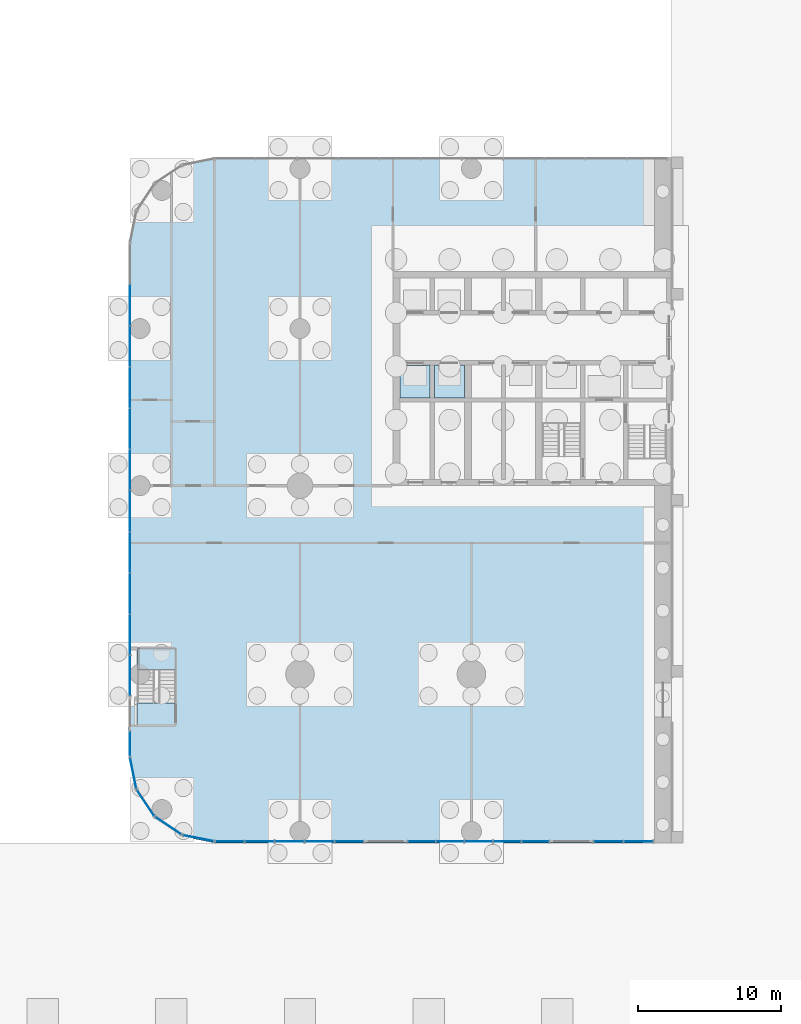
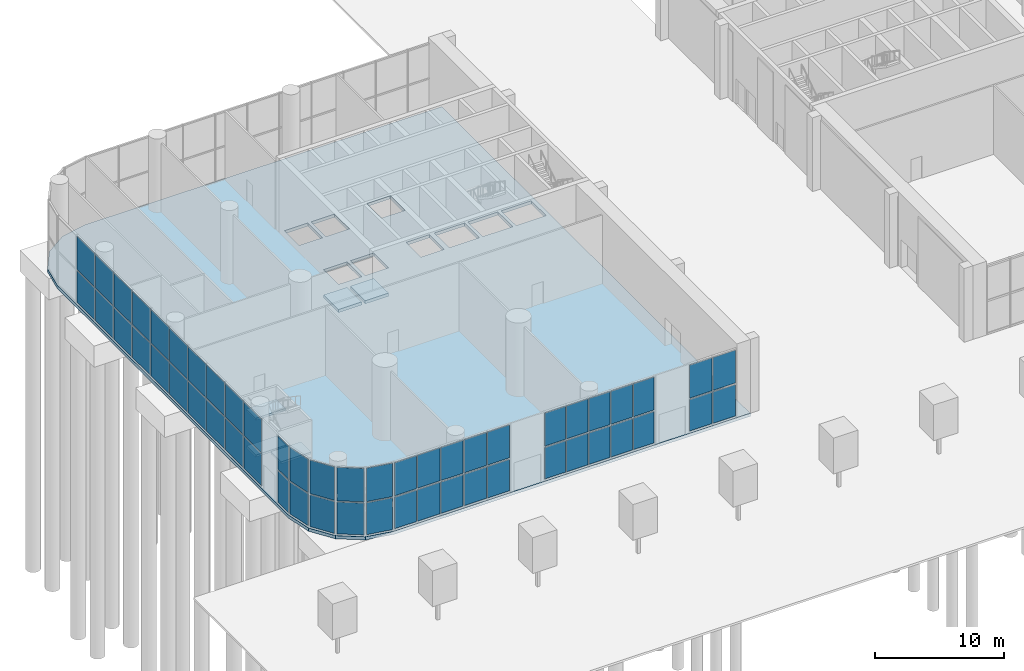
# One storey, part 13 of 26: 54 plates, 6 slabs, 10 elements without a shape of their own.
"""IFC4 building model written with IfcOpenShell, lengths in metres."""

from ifc_helpers import new_model, si_unit, direction, frame, origin, origin_2d, place, context, subcontext, project, spatial, polyline, rectangle, outline, extrude, material, layer, layer_set, type_object, element, aggregate, save


model = new_model("IFC4")

# Units and contexts
model_context = context("Model", 3, precision=1e-05, world=origin(), true_north=direction((0.0, 1.0)))
body_context = subcontext(model_context, "Body", "Model", "MODEL_VIEW")
ifc_project = project(units=[si_unit("LENGTHUNIT", "METRE"), si_unit("AREAUNIT", "SQUARE_METRE"), si_unit("VOLUMEUNIT", "CUBIC_METRE"), si_unit("PLANEANGLEUNIT", "RADIAN"), si_unit("MASSUNIT", "GRAM", prefix="KILO")], contexts=[model_context])

# Site, building, storey
site_placement = place(None, origin())
site = spatial("IfcSite", under=ifc_project, at=site_placement, CompositionType="ELEMENT")
building_placement = place(site_placement, origin())
building = spatial("IfcBuilding", under=site, at=building_placement, Name="Torana Hotel and Residences", CompositionType="ELEMENT")
storey_placement = place(building_placement, origin())
storey = spatial("IfcBuildingStorey", under=building, at=storey_placement, Name="L00", CompositionType="ELEMENT", Elevation=0.0)

# Curtain wall, plates
ifc_material_1 = material(Name="Dark anodised aluminium", Category="aluminium")
ifc_layer_1 = layer(ifc_material_1, 0.199951171875)
ifc_layer_set_1 = layer_set([ifc_layer_1], Name="CW1 PODIUM SHOPFRONT CURTAIN WALL")
curtain_wall_type_1 = type_object("IfcCurtainWallType", Name="CW1 PODIUM SHOPFRONT CURTAIN WALL", PredefinedType="NOTDEFINED", material=ifc_layer_set_1)
curtain_wall_1_placement = place(storey_placement, origin())
curtain_wall_1 = element("IfcCurtainWall", 1, at=curtain_wall_1_placement, inside=storey, type_object=curtain_wall_type_1, Name="Curtain wall CW1 L00 e0.7-1", PredefinedType="NOTDEFINED")
ifc_material_2 = material(Name="Glass clear low-iron double glazed unit", Category="glass")
ifc_layer_2 = layer(ifc_material_2, 0.035888671875)
ifc_layer_set_2 = layer_set([ifc_layer_2], Name="CW1 DARK GLASS PANEL 36")
plate_type_1 = type_object("IfcPlateType", Name="CW1 DARK GLASS PANEL 36", PredefinedType="CURTAIN_PANEL", material=ifc_layer_set_2)
plate_1_placement = place(storey_placement, frame((-47.89990234375, -2.350830078125, 0.119873046875), z_axis=(0.0, 0.0, 1.0), x_axis=(0.0, -1.0, 0.0)))
plate_1 = element("IfcPlate", 2, at=plate_1_placement, type_object=plate_type_1, Name="CW1 panel 2.1", PredefinedType="CURTAIN_PANEL", context=body_context, shape_type="SweptSolid", body=[
    extrude(rectangle(XDim=2.814208984375, YDim=0.035888671875, at=origin_2d()), origin(), (0.0, 0.0, 1.0), 3.02001953125),
])
plate_2_placement = place(storey_placement, frame((-47.89990234375, -2.350830078125, 3.260009765625), z_axis=(0.0, 0.0, 1.0), x_axis=(0.0, -1.0, 0.0)))
plate_2 = element("IfcPlate", 3, at=plate_2_placement, type_object=plate_type_1, Name="CW1 panel 2.2", PredefinedType="CURTAIN_PANEL", context=body_context, shape_type="SweptSolid", body=[
    extrude(rectangle(XDim=2.814208984375, YDim=0.035888671875, at=origin_2d()), origin(), (0.0, 0.0, 1.0), 3.169921875),
])
plate_3_placement = place(storey_placement, frame((-47.89990234375, -5.23486328125, 0.119873046875), z_axis=(0.0, 0.0, 1.0), x_axis=(0.0, -1.0, 0.0)))
plate_3 = element("IfcPlate", 4, at=plate_3_placement, type_object=plate_type_1, Name="CW1 panel 3.1", PredefinedType="CURTAIN_PANEL", context=body_context, shape_type="SweptSolid", body=[
    extrude(rectangle(XDim=2.814208984375, YDim=0.035888671875, at=origin_2d()), origin(), (0.0, 0.0, 1.0), 3.02001953125),
])
plate_4_placement = place(storey_placement, frame((-47.89990234375, -5.23486328125, 3.260009765625), z_axis=(0.0, 0.0, 1.0), x_axis=(0.0, -1.0, 0.0)))
plate_4 = element("IfcPlate", 5, at=plate_4_placement, type_object=plate_type_1, Name="CW1 panel 3.2", PredefinedType="CURTAIN_PANEL", context=body_context, shape_type="SweptSolid", body=[
    extrude(rectangle(XDim=2.814208984375, YDim=0.035888671875, at=origin_2d()), origin(), (0.0, 0.0, 1.0), 3.169921875),
])
plate_5_placement = place(storey_placement, frame((-47.89990234375, -8.119140625, 0.119873046875), z_axis=(0.0, 0.0, 1.0), x_axis=(0.0, -1.0, 0.0)))
plate_5 = element("IfcPlate", 6, at=plate_5_placement, type_object=plate_type_1, Name="CW1 panel 4.1", PredefinedType="CURTAIN_PANEL", context=body_context, shape_type="SweptSolid", body=[
    extrude(rectangle(XDim=2.814208984375, YDim=0.035888671875, at=origin_2d()), origin(), (0.0, 0.0, 1.0), 3.02001953125),
])
plate_6_placement = place(storey_placement, frame((-47.89990234375, -8.119140625, 3.260009765625), z_axis=(0.0, 0.0, 1.0), x_axis=(0.0, -1.0, 0.0)))
plate_6 = element("IfcPlate", 7, at=plate_6_placement, type_object=plate_type_1, Name="CW1 panel 4.2", PredefinedType="CURTAIN_PANEL", context=body_context, shape_type="SweptSolid", body=[
    extrude(rectangle(XDim=2.814208984375, YDim=0.035888671875, at=origin_2d()), origin(), (0.0, 0.0, 1.0), 3.169921875),
])
plate_7_placement = place(storey_placement, frame((-47.89990234375, -11.003173828125, 0.119873046875), z_axis=(0.0, 0.0, 1.0), x_axis=(0.0, -1.0, 0.0)))
plate_7 = element("IfcPlate", 8, at=plate_7_placement, type_object=plate_type_1, Name="CW1 panel 5.1", PredefinedType="CURTAIN_PANEL", context=body_context, shape_type="SweptSolid", body=[
    extrude(rectangle(XDim=2.814208984375, YDim=0.035888671875, at=origin_2d()), origin(), (0.0, 0.0, 1.0), 3.02001953125),
])
plate_8_placement = place(storey_placement, frame((-47.89990234375, -11.003173828125, 3.260009765625), z_axis=(0.0, 0.0, 1.0), x_axis=(0.0, -1.0, 0.0)))
plate_8 = element("IfcPlate", 9, at=plate_8_placement, type_object=plate_type_1, Name="CW1 panel 5.2", PredefinedType="CURTAIN_PANEL", context=body_context, shape_type="SweptSolid", body=[
    extrude(rectangle(XDim=2.814208984375, YDim=0.035888671875, at=origin_2d()), origin(), (0.0, 0.0, 1.0), 3.169921875),
])
plate_9_placement = place(storey_placement, frame((-47.89990234375, -13.88720703125, 0.119873046875), z_axis=(0.0, 0.0, 1.0), x_axis=(0.0, -1.0, 0.0)))
plate_9 = element("IfcPlate", 10, at=plate_9_placement, type_object=plate_type_1, Name="CW1 panel 6.1", PredefinedType="CURTAIN_PANEL", context=body_context, shape_type="SweptSolid", body=[
    extrude(rectangle(XDim=2.814208984375, YDim=0.035888671875, at=origin_2d()), origin(), (0.0, 0.0, 1.0), 3.02001953125),
])
plate_10_placement = place(storey_placement, frame((-47.89990234375, -13.88720703125, 3.260009765625), z_axis=(0.0, 0.0, 1.0), x_axis=(0.0, -1.0, 0.0)))
plate_10 = element("IfcPlate", 11, at=plate_10_placement, type_object=plate_type_1, Name="CW1 panel 6.2", PredefinedType="CURTAIN_PANEL", context=body_context, shape_type="SweptSolid", body=[
    extrude(rectangle(XDim=2.814208984375, YDim=0.035888671875, at=origin_2d()), origin(), (0.0, 0.0, 1.0), 3.169921875),
])
plate_11_placement = place(storey_placement, frame((-47.89990234375, -16.771484375, 0.119873046875), z_axis=(0.0, 0.0, 1.0), x_axis=(0.0, -1.0, 0.0)))
plate_11 = element("IfcPlate", 12, at=plate_11_placement, type_object=plate_type_1, Name="CW1 panel 7.1", PredefinedType="CURTAIN_PANEL", context=body_context, shape_type="SweptSolid", body=[
    extrude(rectangle(XDim=2.814208984375, YDim=0.035888671875, at=origin_2d()), origin(), (0.0, 0.0, 1.0), 3.02001953125),
])
plate_12_placement = place(storey_placement, frame((-47.89990234375, -16.771484375, 3.260009765625), z_axis=(0.0, 0.0, 1.0), x_axis=(0.0, -1.0, 0.0)))
plate_12 = element("IfcPlate", 13, at=plate_12_placement, type_object=plate_type_1, Name="CW1 panel 7.2", PredefinedType="CURTAIN_PANEL", context=body_context, shape_type="SweptSolid", body=[
    extrude(rectangle(XDim=2.814208984375, YDim=0.035888671875, at=origin_2d()), origin(), (0.0, 0.0, 1.0), 3.169921875),
])
plate_13_placement = place(storey_placement, frame((-47.89990234375, -19.655517578125, 0.119873046875), z_axis=(0.0, 0.0, 1.0), x_axis=(0.0, -1.0, 0.0)))
plate_13 = element("IfcPlate", 14, at=plate_13_placement, type_object=plate_type_1, Name="CW1 panel 8.1", PredefinedType="CURTAIN_PANEL", context=body_context, shape_type="SweptSolid", body=[
    extrude(rectangle(XDim=2.814208984375, YDim=0.035888671875, at=origin_2d()), origin(), (0.0, 0.0, 1.0), 3.02001953125),
])
plate_14_placement = place(storey_placement, frame((-47.89990234375, -19.655517578125, 3.260009765625), z_axis=(0.0, 0.0, 1.0), x_axis=(0.0, -1.0, 0.0)))
plate_14 = element("IfcPlate", 15, at=plate_14_placement, type_object=plate_type_1, Name="CW1 panel 8.2", PredefinedType="CURTAIN_PANEL", context=body_context, shape_type="SweptSolid", body=[
    extrude(rectangle(XDim=2.814208984375, YDim=0.035888671875, at=origin_2d()), origin(), (0.0, 0.0, 1.0), 3.169921875),
])
plate_15_placement = place(storey_placement, frame((-47.89990234375, -22.539794921875, 0.119873046875), z_axis=(0.0, 0.0, 1.0), x_axis=(0.0, -1.0, 0.0)))
plate_15 = element("IfcPlate", 16, at=plate_15_placement, type_object=plate_type_1, Name="CW1 panel 9.1", PredefinedType="CURTAIN_PANEL", context=body_context, shape_type="SweptSolid", body=[
    extrude(rectangle(XDim=2.814208984375, YDim=0.035888671875, at=origin_2d()), origin(), (0.0, 0.0, 1.0), 3.02001953125),
])
plate_16_placement = place(storey_placement, frame((-47.89990234375, -22.539794921875, 3.260009765625), z_axis=(0.0, 0.0, 1.0), x_axis=(0.0, -1.0, 0.0)))
plate_16 = element("IfcPlate", 17, at=plate_16_placement, type_object=plate_type_1, Name="CW1 panel 9.2", PredefinedType="CURTAIN_PANEL", context=body_context, shape_type="SweptSolid", body=[
    extrude(rectangle(XDim=2.814208984375, YDim=0.035888671875, at=origin_2d()), origin(), (0.0, 0.0, 1.0), 3.169921875),
])
plate_17_placement = place(storey_placement, frame((-47.89990234375, -25.423828125, 0.119873046875), z_axis=(0.0, 0.0, 1.0), x_axis=(0.0, -1.0, 0.0)))
plate_17 = element("IfcPlate", 18, at=plate_17_placement, type_object=plate_type_1, Name="CW1 panel 10.1", PredefinedType="CURTAIN_PANEL", context=body_context, shape_type="SweptSolid", body=[
    extrude(rectangle(XDim=2.814208984375, YDim=0.035888671875, at=origin_2d()), origin(), (0.0, 0.0, 1.0), 3.02001953125),
])
plate_18_placement = place(storey_placement, frame((-47.89990234375, -25.423828125, 3.260009765625), z_axis=(0.0, 0.0, 1.0), x_axis=(0.0, -1.0, 0.0)))
plate_18 = element("IfcPlate", 19, at=plate_18_placement, type_object=plate_type_1, Name="CW1 panel 10.2", PredefinedType="CURTAIN_PANEL", context=body_context, shape_type="SweptSolid", body=[
    extrude(rectangle(XDim=2.814208984375, YDim=0.035888671875, at=origin_2d()), origin(), (0.0, 0.0, 1.0), 3.169921875),
])
plate_19_placement = place(storey_placement, frame((-47.89990234375, -28.29052734375, 0.119873046875), z_axis=(0.0, 0.0, 1.0), x_axis=(0.0, -1.0, 0.0)))
plate_19 = element("IfcPlate", 20, at=plate_19_placement, type_object=plate_type_1, Name="CW1 panel 11.1", PredefinedType="CURTAIN_PANEL", context=body_context, shape_type="SweptSolid", body=[
    extrude(rectangle(XDim=2.779052734375, YDim=0.035888671875, at=origin_2d()), origin(), (0.0, 0.0, 1.0), 3.02001953125),
])
plate_20_placement = place(storey_placement, frame((-47.89990234375, -28.29052734375, 3.260009765625), z_axis=(0.0, 0.0, 1.0), x_axis=(0.0, -1.0, 0.0)))
plate_20 = element("IfcPlate", 21, at=plate_20_placement, type_object=plate_type_1, Name="CW1 panel 11.2", PredefinedType="CURTAIN_PANEL", context=body_context, shape_type="SweptSolid", body=[
    extrude(rectangle(XDim=2.779052734375, YDim=0.035888671875, at=origin_2d()), origin(), (0.0, 0.0, 1.0), 3.169921875),
])
aggregate(curtain_wall_1, [plate_1, plate_2, plate_3, plate_4, plate_5, plate_6, plate_7, plate_8, plate_9, plate_10, plate_11, plate_12, plate_13, plate_14, plate_15, plate_16, plate_17, plate_18, plate_19, plate_20])

curtain_wall_2_placement = place(storey_placement, origin())
curtain_wall_2 = element("IfcCurtainWall", 22, at=curtain_wall_2_placement, inside=storey, type_object=curtain_wall_type_1, Name="Curtain wall CW1 L00 e0.7-3", PredefinedType="NOTDEFINED")
plate_21_placement = place(storey_placement, frame((-47.89990234375, -33.062744140625, 0.119873046875), z_axis=(0.0, 0.0, 1.0), x_axis=(0.0, -1.0, 0.0)))
plate_21 = element("IfcPlate", 23, at=plate_21_placement, type_object=plate_type_1, Name="CW1 panel 1.1", PredefinedType="CURTAIN_PANEL", context=body_context, shape_type="SweptSolid", body=[
    extrude(rectangle(XDim=1.685302734375, YDim=0.035888671875, at=origin_2d()), origin(), (0.0, 0.0, 1.0), 3.02001953125),
])
plate_22_placement = place(storey_placement, frame((-47.89990234375, -33.062744140625, 3.260009765625), z_axis=(0.0, 0.0, 1.0), x_axis=(0.0, -1.0, 0.0)))
plate_22 = element("IfcPlate", 24, at=plate_22_placement, type_object=plate_type_1, Name="CW1 panel 1.2", PredefinedType="CURTAIN_PANEL", context=body_context, shape_type="SweptSolid", body=[
    extrude(rectangle(XDim=1.685302734375, YDim=0.035888671875, at=origin_2d()), origin(), (0.0, 0.0, 1.0), 3.169921875),
])
aggregate(curtain_wall_2, [plate_21, plate_22])

curtain_wall_3_placement = place(storey_placement, origin())
curtain_wall_3 = element("IfcCurtainWall", 25, at=curtain_wall_3_placement, inside=storey, type_object=curtain_wall_type_1, Name="Curtain wall CW1 L00 e0.8-1", PredefinedType="NOTDEFINED")
plate_23_placement = place(storey_placement, frame((-47.676025390625, -35.1162109375, 0.119873046875), z_axis=(0.0, 0.0, 1.0), x_axis=(0.195080996415, -0.980787135335, 0.0)))
plate_23 = element("IfcPlate", 26, at=plate_23_placement, type_object=plate_type_1, Name="CW1 panel 1.1", PredefinedType="CURTAIN_PANEL", context=body_context, shape_type="SweptSolid", body=[
    extrude(rectangle(XDim=2.126708984375, YDim=0.035888671875, at=origin_2d()), origin(), (0.0, 0.0, 1.0), 3.02001953125),
])
plate_24_placement = place(storey_placement, frame((-47.676025390625, -35.1162109375, 3.260009765625), z_axis=(0.0, 0.0, 1.0), x_axis=(0.195080996415, -0.980787135335, 0.0)))
plate_24 = element("IfcPlate", 27, at=plate_24_placement, type_object=plate_type_1, Name="CW1 panel 1.2", PredefinedType="CURTAIN_PANEL", context=body_context, shape_type="SweptSolid", body=[
    extrude(rectangle(XDim=2.126708984375, YDim=0.035888671875, at=origin_2d()), origin(), (0.0, 0.0, 1.0), 3.169921875),
])
aggregate(curtain_wall_3, [plate_23, plate_24])

curtain_wall_4_placement = place(storey_placement, origin())
curtain_wall_4 = element("IfcCurtainWall", 28, at=curtain_wall_4_placement, inside=storey, type_object=curtain_wall_type_1, Name="Curtain wall CW1 L00 e0.9-1", PredefinedType="NOTDEFINED")
plate_25_placement = place(storey_placement, frame((-46.809814453125, -37.2138671875, 0.119873046875), z_axis=(0.0, 0.0, 1.0), x_axis=(0.555585238723, -0.831459585616, 0.0)))
plate_25 = element("IfcPlate", 29, at=plate_25_placement, type_object=plate_type_1, Name="CW1 panel 1.1", PredefinedType="CURTAIN_PANEL", context=body_context, shape_type="SweptSolid", body=[
    extrude(rectangle(XDim=2.1015625, YDim=0.035888671875, at=origin_2d()), origin(), (0.0, 0.0, 1.0), 3.02001953125),
])
plate_26_placement = place(storey_placement, frame((-46.809814453125, -37.2138671875, 3.260009765625), z_axis=(0.0, 0.0, 1.0), x_axis=(0.555585238723, -0.831459585616, 0.0)))
plate_26 = element("IfcPlate", 30, at=plate_26_placement, type_object=plate_type_1, Name="CW1 panel 1.2", PredefinedType="CURTAIN_PANEL", context=body_context, shape_type="SweptSolid", body=[
    extrude(rectangle(XDim=2.1015625, YDim=0.035888671875, at=origin_2d()), origin(), (0.0, 0.0, 1.0), 3.169921875),
])
aggregate(curtain_wall_4, [plate_25, plate_26])

curtain_wall_5_placement = place(storey_placement, origin())
curtain_wall_5 = element("IfcCurtainWall", 31, at=curtain_wall_5_placement, inside=storey, type_object=curtain_wall_type_1, Name="Curtain wall CW1 L00 e0.10-1", PredefinedType="NOTDEFINED")
plate_27_placement = place(storey_placement, frame((-45.2138671875, -38.809814453125, 0.119873046875), z_axis=(0.0, 0.0, 1.0), x_axis=(0.831459585616, -0.555585238723, 0.0)))
plate_27 = element("IfcPlate", 32, at=plate_27_placement, type_object=plate_type_1, Name="CW1 panel 1.1", PredefinedType="CURTAIN_PANEL", context=body_context, shape_type="SweptSolid", body=[
    extrude(rectangle(XDim=2.1015625, YDim=0.035888671875, at=origin_2d()), origin(), (0.0, 0.0, 1.0), 3.02001953125),
])
plate_28_placement = place(storey_placement, frame((-45.2138671875, -38.809814453125, 3.260009765625), z_axis=(0.0, 0.0, 1.0), x_axis=(0.831459585616, -0.555585238723, 0.0)))
plate_28 = element("IfcPlate", 33, at=plate_28_placement, type_object=plate_type_1, Name="CW1 panel 1.2", PredefinedType="CURTAIN_PANEL", context=body_context, shape_type="SweptSolid", body=[
    extrude(rectangle(XDim=2.1015625, YDim=0.035888671875, at=origin_2d()), origin(), (0.0, 0.0, 1.0), 3.169921875),
])
aggregate(curtain_wall_5, [plate_27, plate_28])

curtain_wall_6_placement = place(storey_placement, origin())
curtain_wall_6 = element("IfcCurtainWall", 34, at=curtain_wall_6_placement, inside=storey, type_object=curtain_wall_type_1, Name="Curtain wall CW1 L00 e0.11-1", PredefinedType="NOTDEFINED")
plate_29_placement = place(storey_placement, frame((-43.1162109375, -39.676025390625, 0.119873046875), z_axis=(0.0, 0.0, 1.0), x_axis=(0.980787135335, -0.195080996415, 0.0)))
plate_29 = element("IfcPlate", 35, at=plate_29_placement, type_object=plate_type_1, Name="CW1 panel 1.1", PredefinedType="CURTAIN_PANEL", context=body_context, shape_type="SweptSolid", body=[
    extrude(rectangle(XDim=2.126708984375, YDim=0.035888671875, at=origin_2d()), origin(), (0.0, 0.0, 1.0), 3.02001953125),
])
plate_30_placement = place(storey_placement, frame((-43.1162109375, -39.676025390625, 3.260009765625), z_axis=(0.0, 0.0, 1.0), x_axis=(0.980787135335, -0.195080996415, 0.0)))
plate_30 = element("IfcPlate", 36, at=plate_30_placement, type_object=plate_type_1, Name="CW1 panel 1.2", PredefinedType="CURTAIN_PANEL", context=body_context, shape_type="SweptSolid", body=[
    extrude(rectangle(XDim=2.126708984375, YDim=0.035888671875, at=origin_2d()), origin(), (0.0, 0.0, 1.0), 3.169921875),
])
aggregate(curtain_wall_6, [plate_29, plate_30])

ifc_material_3 = material(Name="Dark anodised aluminium", Category="aluminium")
ifc_layer_3 = layer(ifc_material_3, 0.25)
ifc_layer_set_3 = layer_set([ifc_layer_3], Name="CW6 LOBBY ENTRANCE FRONT CURTAIN WALL")
curtain_wall_type_2 = type_object("IfcCurtainWallType", Name="CW6 LOBBY ENTRANCE FRONT CURTAIN WALL", PredefinedType="NOTDEFINED", material=ifc_layer_set_3)
curtain_wall_7_placement = place(storey_placement, origin())
curtain_wall_7 = element("IfcCurtainWall", 37, at=curtain_wall_7_placement, inside=storey, type_object=curtain_wall_type_2, Name="Curtain wall CW6 L00 e0.0-1", PredefinedType="NOTDEFINED")
ifc_material_4 = material(Name="Glass clear low-iron toughened double glazed unit", Category="glass")
ifc_layer_4 = layer(ifc_material_4, 0.0400390625)
ifc_layer_set_4 = layer_set([ifc_layer_4], Name="CW6 DARK GLASS PANEL 40")
plate_type_2 = type_object("IfcPlateType", Name="CW6 DARK GLASS PANEL 40", PredefinedType="CURTAIN_PANEL", material=ifc_layer_set_4)
plate_31_placement = place(storey_placement, frame((-40.9052734375, -39.89990234375, 0.14990234375), z_axis=(0.0, 0.0, 1.0), x_axis=(1.0, 0.0, 0.0)))
plate_31 = element("IfcPlate", 38, at=plate_31_placement, type_object=plate_type_2, Name="CW6 panel 1.1", PredefinedType="CURTAIN_PANEL", context=body_context, shape_type="SweptSolid", body=[
    extrude(rectangle(XDim=1.9599609375, YDim=0.0400390625, at=origin_2d()), origin(), (0.0, 0.0, 1.0), 2.97509765625),
])
plate_32_placement = place(storey_placement, frame((-40.9052734375, -39.89990234375, 3.27490234375), z_axis=(0.0, 0.0, 1.0), x_axis=(1.0, 0.0, 0.0)))
plate_32 = element("IfcPlate", 39, at=plate_32_placement, type_object=plate_type_2, Name="CW6 panel 1.2", PredefinedType="CURTAIN_PANEL", context=body_context, shape_type="SweptSolid", body=[
    extrude(rectangle(XDim=1.9599609375, YDim=0.0400390625, at=origin_2d()), origin(), (0.0, 0.0, 1.0), 3.125),
])
plate_33_placement = place(storey_placement, frame((-38.832763671875, -39.89990234375, 0.14990234375), z_axis=(0.0, 0.0, 1.0), x_axis=(1.0, 0.0, 0.0)))
plate_33 = element("IfcPlate", 40, at=plate_33_placement, type_object=plate_type_2, Name="CW6 panel 2.1", PredefinedType="CURTAIN_PANEL", context=body_context, shape_type="SweptSolid", body=[
    extrude(rectangle(XDim=2.005126953125, YDim=0.0400390625, at=origin_2d()), origin(), (0.0, 0.0, 1.0), 2.97509765625),
])
plate_34_placement = place(storey_placement, frame((-38.832763671875, -39.89990234375, 3.27490234375), z_axis=(0.0, 0.0, 1.0), x_axis=(1.0, 0.0, 0.0)))
plate_34 = element("IfcPlate", 41, at=plate_34_placement, type_object=plate_type_2, Name="CW6 panel 2.2", PredefinedType="CURTAIN_PANEL", context=body_context, shape_type="SweptSolid", body=[
    extrude(rectangle(XDim=2.005126953125, YDim=0.0400390625, at=origin_2d()), origin(), (0.0, 0.0, 1.0), 3.125),
])
plate_35_placement = place(storey_placement, frame((-36.73779296875, -39.89990234375, 0.14990234375), z_axis=(0.0, 0.0, 1.0), x_axis=(1.0, 0.0, 0.0)))
plate_35 = element("IfcPlate", 42, at=plate_35_placement, type_object=plate_type_2, Name="CW6 panel 3.1", PredefinedType="CURTAIN_PANEL", context=body_context, shape_type="SweptSolid", body=[
    extrude(rectangle(XDim=2.005126953125, YDim=0.0400390625, at=origin_2d()), origin(), (0.0, 0.0, 1.0), 2.97509765625),
])
plate_36_placement = place(storey_placement, frame((-36.73779296875, -39.89990234375, 3.27490234375), z_axis=(0.0, 0.0, 1.0), x_axis=(1.0, 0.0, 0.0)))
plate_36 = element("IfcPlate", 43, at=plate_36_placement, type_object=plate_type_2, Name="CW6 panel 3.2", PredefinedType="CURTAIN_PANEL", context=body_context, shape_type="SweptSolid", body=[
    extrude(rectangle(XDim=2.005126953125, YDim=0.0400390625, at=origin_2d()), origin(), (0.0, 0.0, 1.0), 3.125),
])
plate_37_placement = place(storey_placement, frame((-34.642578125, -39.89990234375, 0.14990234375), z_axis=(0.0, 0.0, 1.0), x_axis=(1.0, 0.0, 0.0)))
plate_37 = element("IfcPlate", 44, at=plate_37_placement, type_object=plate_type_2, Name="CW6 panel 4.1", PredefinedType="CURTAIN_PANEL", context=body_context, shape_type="SweptSolid", body=[
    extrude(rectangle(XDim=2.005126953125, YDim=0.0400390625, at=origin_2d()), origin(), (0.0, 0.0, 1.0), 2.97509765625),
])
plate_38_placement = place(storey_placement, frame((-34.642578125, -39.89990234375, 3.27490234375), z_axis=(0.0, 0.0, 1.0), x_axis=(1.0, 0.0, 0.0)))
plate_38 = element("IfcPlate", 45, at=plate_38_placement, type_object=plate_type_2, Name="CW6 panel 4.2", PredefinedType="CURTAIN_PANEL", context=body_context, shape_type="SweptSolid", body=[
    extrude(rectangle(XDim=2.005126953125, YDim=0.0400390625, at=origin_2d()), origin(), (0.0, 0.0, 1.0), 3.125),
])
plate_39_placement = place(storey_placement, frame((-32.570068359375, -39.89990234375, 0.14990234375), z_axis=(0.0, 0.0, 1.0), x_axis=(1.0, 0.0, 0.0)))
plate_39 = element("IfcPlate", 46, at=plate_39_placement, type_object=plate_type_2, Name="CW6 panel 5.1", PredefinedType="CURTAIN_PANEL", context=body_context, shape_type="SweptSolid", body=[
    extrude(rectangle(XDim=1.9599609375, YDim=0.0400390625, at=origin_2d()), origin(), (0.0, 0.0, 1.0), 2.97509765625),
])
plate_40_placement = place(storey_placement, frame((-32.570068359375, -39.89990234375, 3.27490234375), z_axis=(0.0, 0.0, 1.0), x_axis=(1.0, 0.0, 0.0)))
plate_40 = element("IfcPlate", 47, at=plate_40_placement, type_object=plate_type_2, Name="CW6 panel 5.2", PredefinedType="CURTAIN_PANEL", context=body_context, shape_type="SweptSolid", body=[
    extrude(rectangle(XDim=1.9599609375, YDim=0.0400390625, at=origin_2d()), origin(), (0.0, 0.0, 1.0), 3.125),
])
aggregate(curtain_wall_7, [plate_31, plate_32, plate_33, plate_34, plate_35, plate_36, plate_37, plate_38, plate_39, plate_40])

curtain_wall_8_placement = place(storey_placement, origin())
curtain_wall_8 = element("IfcCurtainWall", 48, at=curtain_wall_8_placement, inside=storey, type_object=curtain_wall_type_2, Name="Curtain wall CW6 L00 e0.0-3", PredefinedType="NOTDEFINED")
plate_41_placement = place(storey_placement, frame((-27.4775390625, -39.89990234375, 0.14990234375), z_axis=(0.0, 0.0, 1.0), x_axis=(1.0, 0.0, 0.0)))
plate_41 = element("IfcPlate", 49, at=plate_41_placement, type_object=plate_type_2, Name="CW6 panel 1.1", PredefinedType="CURTAIN_PANEL", context=body_context, shape_type="SweptSolid", body=[
    extrude(rectangle(XDim=1.864990234375, YDim=0.0400390625, at=origin_2d()), origin(), (0.0, 0.0, 1.0), 2.97509765625),
])
plate_42_placement = place(storey_placement, frame((-27.4775390625, -39.89990234375, 3.27490234375), z_axis=(0.0, 0.0, 1.0), x_axis=(1.0, 0.0, 0.0)))
plate_42 = element("IfcPlate", 50, at=plate_42_placement, type_object=plate_type_2, Name="CW6 panel 1.2", PredefinedType="CURTAIN_PANEL", context=body_context, shape_type="SweptSolid", body=[
    extrude(rectangle(XDim=1.864990234375, YDim=0.0400390625, at=origin_2d()), origin(), (0.0, 0.0, 1.0), 3.125),
])
plate_43_placement = place(storey_placement, frame((-25.5, -39.89990234375, 0.14990234375), z_axis=(0.0, 0.0, 1.0), x_axis=(1.0, 0.0, 0.0)))
plate_43 = element("IfcPlate", 51, at=plate_43_placement, type_object=plate_type_2, Name="CW6 panel 2.1", PredefinedType="CURTAIN_PANEL", context=body_context, shape_type="SweptSolid", body=[
    extrude(rectangle(XDim=1.909912109375, YDim=0.0400390625, at=origin_2d()), origin(), (0.0, 0.0, 1.0), 2.97509765625),
])
plate_44_placement = place(storey_placement, frame((-25.5, -39.89990234375, 3.27490234375), z_axis=(0.0, 0.0, 1.0), x_axis=(1.0, 0.0, 0.0)))
plate_44 = element("IfcPlate", 52, at=plate_44_placement, type_object=plate_type_2, Name="CW6 panel 2.2", PredefinedType="CURTAIN_PANEL", context=body_context, shape_type="SweptSolid", body=[
    extrude(rectangle(XDim=1.909912109375, YDim=0.0400390625, at=origin_2d()), origin(), (0.0, 0.0, 1.0), 3.125),
])
plate_45_placement = place(storey_placement, frame((-23.5, -39.89990234375, 0.14990234375), z_axis=(0.0, 0.0, 1.0), x_axis=(1.0, 0.0, 0.0)))
plate_45 = element("IfcPlate", 53, at=plate_45_placement, type_object=plate_type_2, Name="CW6 panel 3.1", PredefinedType="CURTAIN_PANEL", context=body_context, shape_type="SweptSolid", body=[
    extrude(rectangle(XDim=1.909912109375, YDim=0.0400390625, at=origin_2d()), origin(), (0.0, 0.0, 1.0), 2.97509765625),
])
plate_46_placement = place(storey_placement, frame((-23.5, -39.89990234375, 3.27490234375), z_axis=(0.0, 0.0, 1.0), x_axis=(1.0, 0.0, 0.0)))
plate_46 = element("IfcPlate", 54, at=plate_46_placement, type_object=plate_type_2, Name="CW6 panel 3.2", PredefinedType="CURTAIN_PANEL", context=body_context, shape_type="SweptSolid", body=[
    extrude(rectangle(XDim=1.909912109375, YDim=0.0400390625, at=origin_2d()), origin(), (0.0, 0.0, 1.0), 3.125),
])
plate_47_placement = place(storey_placement, frame((-21.5, -39.89990234375, 0.14990234375), z_axis=(0.0, 0.0, 1.0), x_axis=(1.0, 0.0, 0.0)))
plate_47 = element("IfcPlate", 55, at=plate_47_placement, type_object=plate_type_2, Name="CW6 panel 4.1", PredefinedType="CURTAIN_PANEL", context=body_context, shape_type="SweptSolid", body=[
    extrude(rectangle(XDim=1.909912109375, YDim=0.0400390625, at=origin_2d()), origin(), (0.0, 0.0, 1.0), 2.97509765625),
])
plate_48_placement = place(storey_placement, frame((-21.5, -39.89990234375, 3.27490234375), z_axis=(0.0, 0.0, 1.0), x_axis=(1.0, 0.0, 0.0)))
plate_48 = element("IfcPlate", 56, at=plate_48_placement, type_object=plate_type_2, Name="CW6 panel 4.2", PredefinedType="CURTAIN_PANEL", context=body_context, shape_type="SweptSolid", body=[
    extrude(rectangle(XDim=1.909912109375, YDim=0.0400390625, at=origin_2d()), origin(), (0.0, 0.0, 1.0), 3.125),
])
plate_49_placement = place(storey_placement, frame((-19.5224609375, -39.89990234375, 0.14990234375), z_axis=(0.0, 0.0, 1.0), x_axis=(1.0, 0.0, 0.0)))
plate_49 = element("IfcPlate", 57, at=plate_49_placement, type_object=plate_type_2, Name="CW6 panel 5.1", PredefinedType="CURTAIN_PANEL", context=body_context, shape_type="SweptSolid", body=[
    extrude(rectangle(XDim=1.864990234375, YDim=0.0400390625, at=origin_2d()), origin(), (0.0, 0.0, 1.0), 2.97509765625),
])
plate_50_placement = place(storey_placement, frame((-19.5224609375, -39.89990234375, 3.27490234375), z_axis=(0.0, 0.0, 1.0), x_axis=(1.0, 0.0, 0.0)))
plate_50 = element("IfcPlate", 58, at=plate_50_placement, type_object=plate_type_2, Name="CW6 panel 5.2", PredefinedType="CURTAIN_PANEL", context=body_context, shape_type="SweptSolid", body=[
    extrude(rectangle(XDim=1.864990234375, YDim=0.0400390625, at=origin_2d()), origin(), (0.0, 0.0, 1.0), 3.125),
])
aggregate(curtain_wall_8, [plate_41, plate_42, plate_43, plate_44, plate_45, plate_46, plate_47, plate_48, plate_49, plate_50])

curtain_wall_9_placement = place(storey_placement, origin())
curtain_wall_9 = element("IfcCurtainWall", 59, at=curtain_wall_9_placement, inside=storey, type_object=curtain_wall_type_2, Name="Curtain wall CW6 L00 e0.0-5", PredefinedType="NOTDEFINED")
plate_51_placement = place(storey_placement, frame((-14.402587890625, -39.89990234375, 0.14990234375), z_axis=(0.0, 0.0, 1.0), x_axis=(1.0, 0.0, 0.0)))
plate_51 = element("IfcPlate", 60, at=plate_51_placement, type_object=plate_type_2, Name="CW6 panel 1.1", PredefinedType="CURTAIN_PANEL", context=body_context, shape_type="SweptSolid", body=[
    extrude(rectangle(XDim=2.014892578125, YDim=0.0400390625, at=origin_2d()), origin(), (0.0, 0.0, 1.0), 2.97509765625),
])
plate_52_placement = place(storey_placement, frame((-14.402587890625, -39.89990234375, 3.27490234375), z_axis=(0.0, 0.0, 1.0), x_axis=(1.0, 0.0, 0.0)))
plate_52 = element("IfcPlate", 61, at=plate_52_placement, type_object=plate_type_2, Name="CW6 panel 1.2", PredefinedType="CURTAIN_PANEL", context=body_context, shape_type="SweptSolid", body=[
    extrude(rectangle(XDim=2.014892578125, YDim=0.0400390625, at=origin_2d()), origin(), (0.0, 0.0, 1.0), 3.125),
])
plate_53_placement = place(storey_placement, frame((-12.297607421875, -39.89990234375, 0.14990234375), z_axis=(0.0, 0.0, 1.0), x_axis=(1.0, 0.0, 0.0)))
plate_53 = element("IfcPlate", 62, at=plate_53_placement, type_object=plate_type_2, Name="CW6 panel 2.1", PredefinedType="CURTAIN_PANEL", context=body_context, shape_type="SweptSolid", body=[
    extrude(rectangle(XDim=2.014892578125, YDim=0.0400390625, at=origin_2d()), origin(), (0.0, 0.0, 1.0), 2.97509765625),
])
plate_54_placement = place(storey_placement, frame((-12.297607421875, -39.89990234375, 3.27490234375), z_axis=(0.0, 0.0, 1.0), x_axis=(1.0, 0.0, 0.0)))
plate_54 = element("IfcPlate", 63, at=plate_54_placement, type_object=plate_type_2, Name="CW6 panel 2.2", PredefinedType="CURTAIN_PANEL", context=body_context, shape_type="SweptSolid", body=[
    extrude(rectangle(XDim=2.014892578125, YDim=0.0400390625, at=origin_2d()), origin(), (0.0, 0.0, 1.0), 3.125),
])
aggregate(curtain_wall_9, [plate_51, plate_52, plate_53, plate_54])

# Slabs
ifc_material_5 = material(Name="Concrete C40/50", Category="concrete")
ifc_layer_5 = layer(ifc_material_5, 0.300048828125)
ifc_layer_set_5 = layer_set([ifc_layer_5], Name="GROUND SLAB 300")
slab_type_1 = type_object("IfcSlabType", Name="GROUND SLAB 300", PredefinedType="BASESLAB", material=ifc_layer_set_5)
slab_1_placement = place(storey_placement, frame((0.0, 0.0, -0.300048828125)))
element("IfcSlab", 64, at=slab_1_placement, inside=storey, type_object=slab_type_1, Name="Slab on grade", PredefinedType="BASESLAB", context=body_context, shape_type="SweptSolid", body=[
    extrude(outline(polyline([(-42.0, -40.0), (-10.0, -40.0), (-10.0, 8.0), (-42.0, 8.0), (-44.296142578125, 7.543212890625), (-46.24267578125, 6.24267578125), (-47.543212890625, 4.296142578125), (-48.0, 2.0), (-48.0, -34.0), (-47.543212890625, -36.296142578125), (-46.24267578125, -38.24267578125), (-44.296142578125, -39.543212890625), (-42.0, -40.0)]), holes=[polyline([(-26.60009765625, -2.75), (-24.5, -2.75), (-24.5, -0.449951171875), (-26.60009765625, -0.449951171875), (-26.60009765625, -2.75)]), polyline([(-29.0, -2.75), (-26.89990234375, -2.75), (-26.89990234375, -0.449951171875), (-29.0, -0.449951171875), (-29.0, -2.75)]), polyline([(-26.60009765625, -8.85009765625), (-24.5, -8.85009765625), (-24.5, -6.550048828125), (-26.60009765625, -6.550048828125), (-26.60009765625, -8.85009765625)]), polyline([(-29.0, -8.85009765625), (-26.89990234375, -8.85009765625), (-26.89990234375, -6.550048828125), (-29.0, -6.550048828125), (-29.0, -8.85009765625)]), polyline([(-21.60009765625, -2.75), (-19.5, -2.75), (-19.5, -0.449951171875), (-21.60009765625, -0.449951171875), (-21.60009765625, -2.75)]), polyline([(-21.60009765625, -8.85009765625), (-19.5, -8.85009765625), (-19.5, -6.550048828125), (-21.60009765625, -6.550048828125), (-21.60009765625, -8.85009765625)]), polyline([(-13.050048828125, -8.85009765625), (-10.35009765625, -8.85009765625), (-10.35009765625, -6.550048828125), (-13.050048828125, -6.550048828125), (-13.050048828125, -8.85009765625)]), polyline([(-16.050048828125, -8.85009765625), (-13.35009765625, -8.85009765625), (-13.35009765625, -6.550048828125), (-16.050048828125, -6.550048828125), (-16.050048828125, -8.85009765625)]), polyline([(-19.050048828125, -8.85009765625), (-16.35009765625, -8.85009765625), (-16.35009765625, -6.550048828125), (-19.050048828125, -6.550048828125), (-19.050048828125, -8.85009765625)])]), origin(), (0.0, 0.0, 1.0), 0.300048828125),
])
ifc_material_6 = material(Name="Concrete C50/60", Category="concrete")
ifc_layer_6 = layer(ifc_material_6, 0.300048828125)
ifc_layer_set_6 = layer_set([ifc_layer_6], Name="LIFT PIT SLAB 300")
slab_type_2 = type_object("IfcSlabType", Name="LIFT PIT SLAB 300", PredefinedType="USERDEFINED", material=ifc_layer_set_6)
slab_2_placement = place(storey_placement, frame((0.0, 0.0, -2.699951171875)))
element("IfcSlab", 65, at=slab_2_placement, inside=storey, type_object=slab_type_2, Name="Lift pit slab L3", ObjectType="LIFT PIT", PredefinedType="USERDEFINED", context=body_context, shape_type="SweptSolid", body=[
    extrude(outline(polyline([(-26.60009765625, -8.85009765625), (-24.5, -8.85009765625), (-24.5, -6.550048828125), (-26.60009765625, -6.550048828125), (-26.60009765625, -8.85009765625)])), origin(), (0.0, 0.0, 1.0), 0.300048828125),
])
slab_3_placement = place(storey_placement, frame((0.0, 0.0, -2.699951171875)))
element("IfcSlab", 66, at=slab_3_placement, inside=storey, type_object=slab_type_2, Name="Lift pit slab L4", ObjectType="LIFT PIT", PredefinedType="USERDEFINED", context=body_context, shape_type="SweptSolid", body=[
    extrude(outline(polyline([(-29.0, -8.85009765625), (-26.89990234375, -8.85009765625), (-26.89990234375, -6.550048828125), (-29.0, -6.550048828125), (-29.0, -8.85009765625)])), origin(), (0.0, 0.0, 1.0), 0.300048828125),
])

# Stair, slabs
ifc_material_7 = material(Name="Concrete C40/50 precast", Category="concrete")
stair_type = type_object("IfcStairType", Name="STAIR ST5 HALF TURN 1200", PredefinedType="HALF_TURN_STAIR", material=ifc_material_7)
stair_placement = place(storey_placement, origin())
stair = element("IfcStair", 67, at=stair_placement, inside=storey, type_object=stair_type, Name="Stair ST5 L00", PredefinedType="HALF_TURN_STAIR")
ifc_material_8 = material(Name="Concrete C40/50 precast", Category="concrete")
ifc_layer_7 = layer(ifc_material_8, 0.199951171875)
ifc_layer_set_7 = layer_set([ifc_layer_7], Name="STAIR LANDING 200")
slab_type_3 = type_object("IfcSlabType", Name="STAIR LANDING 200", PredefinedType="LANDING", material=ifc_layer_set_7)
slab_4_placement = place(storey_placement, frame((0.0, 0.0, 1.550048828125)))
slab_4 = element("IfcSlab", 68, at=slab_4_placement, type_object=slab_type_3, Name="ST5 landing 1", PredefinedType="LANDING", context=body_context, shape_type="SweptSolid", body=[
    extrude(outline(polyline([(-47.39990234375, -27.860107421875), (-44.699951171875, -27.860107421875), (-44.699951171875, -26.39990234375), (-47.39990234375, -26.39990234375), (-47.39990234375, -27.860107421875)])), origin(), (0.0, 0.0, 1.0), 0.199951171875),
])
slab_5_placement = place(storey_placement, frame((0.0, 0.0, 5.050048828125)))
slab_5 = element("IfcSlab", 69, at=slab_5_placement, type_object=slab_type_3, Name="ST5 landing 2", PredefinedType="LANDING", context=body_context, shape_type="SweptSolid", body=[
    extrude(outline(polyline([(-47.39990234375, -27.860107421875), (-44.699951171875, -27.860107421875), (-44.699951171875, -26.39990234375), (-47.39990234375, -26.39990234375), (-47.39990234375, -27.860107421875)])), origin(), (0.0, 0.0, 1.0), 0.199951171875),
])
slab_6_placement = place(storey_placement, frame((0.0, 0.0, 3.300048828125)))
slab_6 = element("IfcSlab", 70, at=slab_6_placement, type_object=slab_type_3, Name="ST5 landing 3", PredefinedType="LANDING", context=body_context, shape_type="SweptSolid", body=[
    extrude(outline(polyline([(-47.39990234375, -31.800048828125), (-44.699951171875, -31.800048828125), (-44.699951171875, -30.199951171875), (-47.39990234375, -30.199951171875), (-47.39990234375, -31.800048828125)])), origin(), (0.0, 0.0, 1.0), 0.199951171875),
])
aggregate(stair, [slab_4, slab_5, slab_6])

save(model, "model.ifc")
